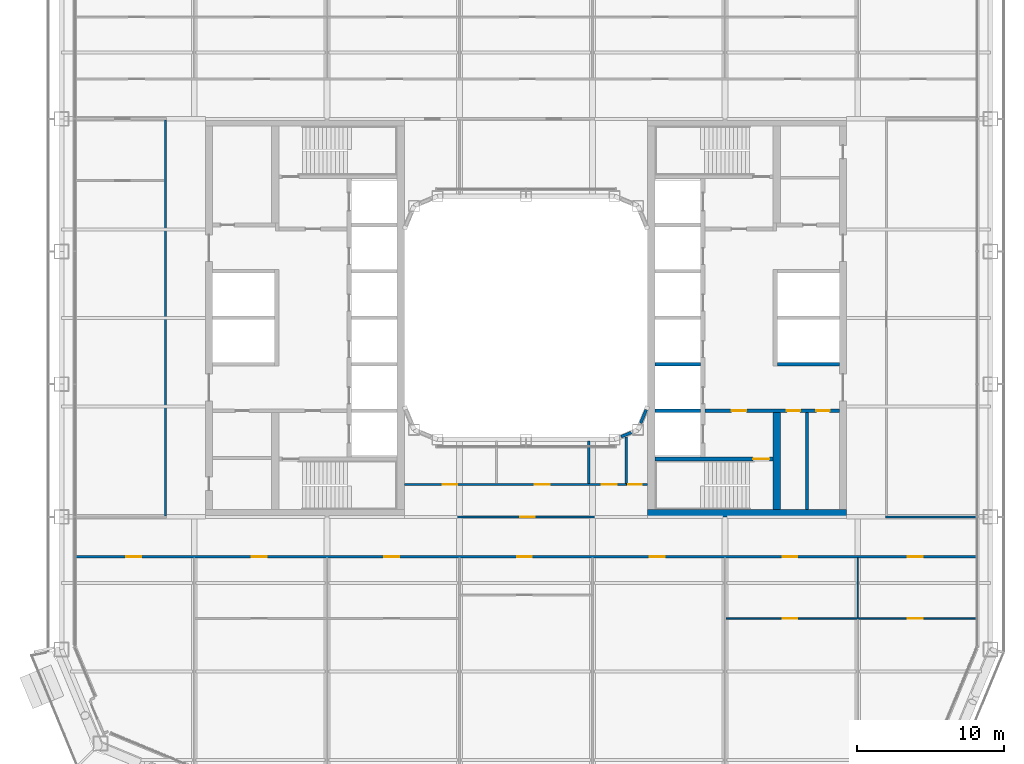
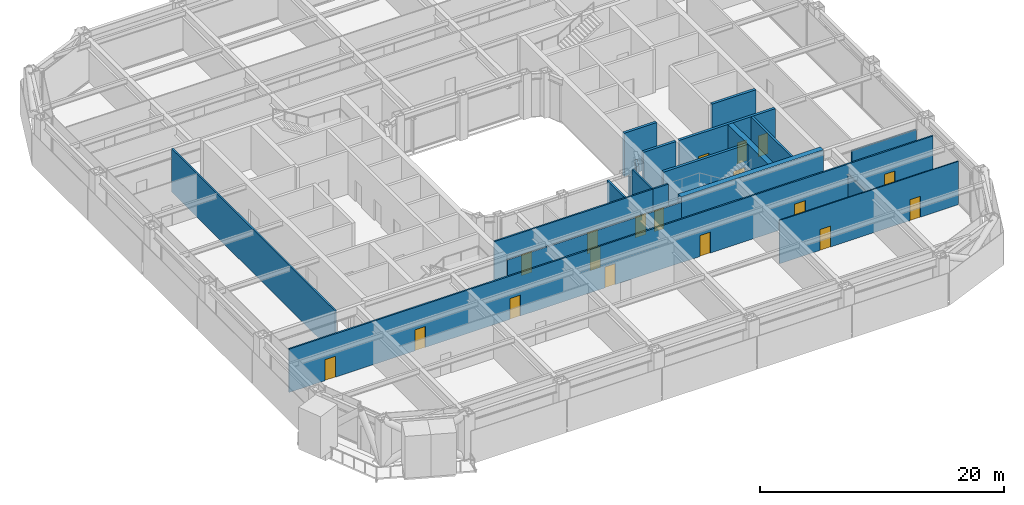
# One storey, part 14 of 27: 20 walls, 18 doors, 18 openings.
"""IFC4 building model written with IfcOpenShell, lengths in metres."""

from ifc_helpers import new_model, si_unit, direction, frame, frame_2d, origin, place, context, subcontext, project, spatial, rectangle, extrude, material, layer, layer_set, type_object, element, fill, save


model = new_model("IFC4")

# Units and contexts
model_context = context("Model", 3, precision=1e-05, world=origin(), true_north=direction((0.0, 1.0)))
body_context = subcontext(model_context, "Body", "Model", "MODEL_VIEW")
ifc_project = project(units=[si_unit("LENGTHUNIT", "METRE"), si_unit("AREAUNIT", "SQUARE_METRE"), si_unit("VOLUMEUNIT", "CUBIC_METRE"), si_unit("PLANEANGLEUNIT", "RADIAN"), si_unit("MASSUNIT", "GRAM", prefix="KILO")], contexts=[model_context])

# Site, building, storey
site_placement = place(None, origin())
site = spatial("IfcSite", under=ifc_project, at=site_placement, CompositionType="ELEMENT")
building_placement = place(site_placement, origin())
building = spatial("IfcBuilding", under=site, at=building_placement, Name="Siwar Civic Tower", CompositionType="ELEMENT")
storey_placement = place(building_placement, frame((0.0, 0.0, 71.699951171875)))
storey = spatial("IfcBuildingStorey", under=building, at=storey_placement, Name="L15", CompositionType="ELEMENT", Elevation=71.699951171875)

# Wall, opening, door
ifc_material_1 = material(Name="Gypsum board on steel studs", Category="steel")
ifc_layer_1 = layer(ifc_material_1, 0.14990234375)
ifc_layer_set_1 = layer_set([ifc_layer_1], Name="Gypsum board on steel studs")
wall_type_1 = type_object("IfcWallType", Name="COMPARTMENT PARTITION 150 EI 60", PredefinedType="PARTITIONING", material=ifc_layer_set_1)
wall_1_placement = place(storey_placement, frame((6.800048828125, -11.300048828125, 0.0), z_axis=(0.0, 0.0, 1.0), x_axis=(1.0, 0.0, 0.0)))
wall_1 = element("IfcWall", 1, at=wall_1_placement, inside=storey, type_object=wall_type_1, Name="L15/wall/P09", PredefinedType="PARTITIONING", context=body_context, shape_type="SweptSolid", body=[
    extrude(rectangle(XDim=1.449951171875, YDim=0.14990234375, at=frame_2d((0.72509765625, 0.0))), origin(), (0.0, 0.0, 1.0), 4.35009765625),
])
opening_1_placement = place(wall_1_placement, frame((0.14990234375, 0.0, 0.0)))
opening_1 = element("IfcOpeningElement", 2, at=opening_1_placement, cuts=wall_1, Name="Opening D4", PredefinedType="OPENING", context=body_context, shape_type="SweptSolid", body=[
    extrude(rectangle(XDim=0.89990234375, YDim=2.10009765625, at=frame_2d((0.449951171875, 1.050048828125))), frame((0.0, 0.0849609375, 0.0), z_axis=(0.0, -1.0, 0.0), x_axis=(1.0, 0.0, 0.0)), (0.0, 0.0, 1.0), 0.169921875),
])
ifc_material_2 = material(Name="Timber, painted", Category="wood")
door_type_1 = type_object("IfcDoorType", Name="DOOR 900 X 2100 FD60", OperationType="SINGLE_SWING_LEFT", PredefinedType="DOOR", material=ifc_material_2)
door_1_placement = place(opening_1_placement, origin())
door_1 = element("IfcDoor", 3, at=door_1_placement, inside=storey, type_object=door_type_1, Name="L15-D35", OperationType="SINGLE_SWING_LEFT", OverallHeight=2.10009765625, OverallWidth=0.89990234375, PredefinedType="DOOR", context=body_context, shape_type="SweptSolid", body=[
    extrude(rectangle(XDim=0.89990234375, YDim=2.10009765625, at=frame_2d((0.449951171875, 1.050048828125))), frame((0.0, 0.02490234375, 0.0), z_axis=(0.0, -1.0, 0.0), x_axis=(1.0, 0.0, 0.0)), (0.0, 0.0, 1.0), 0.050048828125),
])
fill(opening_1, door_1)

# Walls
wall_2_placement = place(storey_placement, frame((6.800048828125, -11.22509765625, 0.0), z_axis=(0.0, 0.0, 1.0), x_axis=(0.0, 1.0, 0.0)))
element("IfcWall", 4, at=wall_2_placement, inside=storey, type_object=wall_type_1, Name="L15/wall/P33", PredefinedType="PARTITIONING", context=body_context, shape_type="SweptSolid", body=[
    extrude(rectangle(XDim=3.151123046875, YDim=0.14990234375, at=frame_2d((1.57568359375, 0.0))), origin(), (0.0, 0.0, 1.0), 4.35009765625),
])
ifc_material_3 = material(Name="Gypsum board on steel studs", Category="steel")
ifc_layer_2 = layer(ifc_material_3, 0.199951171875)
ifc_layer_set_2 = layer_set([ifc_layer_2], Name="Gypsum board on steel studs")
wall_type_2 = type_object("IfcWallType", Name="CORE-PARTITION-200", PredefinedType="PARTITIONING", material=ifc_layer_set_2)
wall_3_placement = place(storey_placement, frame((19.050048828125, -13.0, 0.0), z_axis=(0.0, 0.0, 1.0), x_axis=(0.0, 1.0, 0.0)))
element("IfcWall", 5, at=wall_3_placement, inside=storey, type_object=wall_type_2, Name="Core partition E", PredefinedType="PARTITIONING", context=body_context, shape_type="SweptSolid", body=[
    extrude(rectangle(XDim=6.574951171875, YDim=0.199951171875, at=frame_2d((3.28759765625, 0.0))), origin(), (0.0, 0.0, 1.0), 4.35009765625),
])

# Wall, openings, doors
ifc_material_4 = material(Name="Concrete C60/75", Category="concrete")
ifc_layer_3 = layer(ifc_material_4, 0.25)
ifc_layer_set_3 = layer_set([ifc_layer_3], Name="Concrete C60/75")
wall_type_3 = type_object("IfcWallType", Name="CORE-WALL-RC250", PredefinedType="SHEAR", material=ifc_layer_set_3)
wall_4_placement = place(storey_placement, frame((12.14990234375, -6.300048828125, 0.0), z_axis=(0.0, 0.0, 1.0), x_axis=(1.0, 0.0, 0.0)))
wall_4 = element("IfcWall", 6, at=wall_4_placement, inside=storey, type_object=wall_type_3, Name="Core wall E", PredefinedType="SHEAR", context=body_context, shape_type="SweptSolid", body=[
    extrude(rectangle(XDim=9.10009765625, YDim=0.25, at=frame_2d((4.550048828125, 0.0))), origin(), (0.0, 0.0, 1.0), 4.35009765625),
])
opening_2_placement = place(wall_4_placement, frame((1.800048828125, 0.0, 0.0)))
opening_2 = element("IfcOpeningElement", 7, at=opening_2_placement, cuts=wall_4, Name="Opening L15-CE02", PredefinedType="OPENING", context=body_context, shape_type="SweptSolid", body=[
    extrude(rectangle(XDim=1.0, YDim=2.10009765625, at=frame_2d((0.5, 1.050048828125))), frame((0.0, 0.135009765625, 0.0), z_axis=(0.0, -1.0, 0.0), x_axis=(1.0, 0.0, 0.0)), (0.0, 0.0, 1.0), 0.27001953125),
])
opening_3_placement = place(wall_4_placement, frame((5.550048828125, 0.0, 0.0)))
opening_3 = element("IfcOpeningElement", 8, at=opening_3_placement, cuts=wall_4, Name="Opening L15-CE15", PredefinedType="OPENING", context=body_context, shape_type="SweptSolid", body=[
    extrude(rectangle(XDim=0.89990234375, YDim=2.10009765625, at=frame_2d((0.449951171875, 1.050048828125))), frame((0.0, 0.135009765625, 0.0), z_axis=(0.0, -1.0, 0.0), x_axis=(1.0, 0.0, 0.0)), (0.0, 0.0, 1.0), 0.27001953125),
])
opening_4_placement = place(wall_4_placement, frame((7.550048828125, 0.0, 0.0)))
opening_4 = element("IfcOpeningElement", 9, at=opening_4_placement, cuts=wall_4, Name="Opening L15-CE16", PredefinedType="OPENING", context=body_context, shape_type="SweptSolid", body=[
    extrude(rectangle(XDim=0.89990234375, YDim=2.10009765625, at=frame_2d((0.449951171875, 1.050048828125))), frame((0.0, 0.135009765625, 0.0), z_axis=(0.0, -1.0, 0.0), x_axis=(1.0, 0.0, 0.0)), (0.0, 0.0, 1.0), 0.27001953125),
])
ifc_material_5 = material(Name="Steel door leaf", Category="steel")
door_type_2 = type_object("IfcDoorType", Name="CORE-DOOR-FD30S", OperationType="SINGLE_SWING_LEFT", PredefinedType="DOOR", material=ifc_material_5)
door_2_placement = place(opening_2_placement, origin())
door_2 = element("IfcDoor", 10, at=door_2_placement, inside=storey, type_object=door_type_2, Name="Service lobby door L15-CE02", OperationType="SINGLE_SWING_LEFT", OverallHeight=2.10009765625, OverallWidth=1.0, PredefinedType="DOOR", context=body_context, shape_type="SweptSolid", body=[
    extrude(rectangle(XDim=1.0, YDim=2.10009765625, at=frame_2d((0.5, 1.050048828125))), frame((0.0, 0.02490234375, 0.0), z_axis=(0.0, -1.0, 0.0), x_axis=(1.0, 0.0, 0.0)), (0.0, 0.0, 1.0), 0.050048828125),
])
fill(opening_2, door_2)
ifc_material_6 = material(Name="Steel door leaf", Category="steel")
door_type_3 = type_object("IfcDoorType", Name="CORE-DOOR-ROOM", OperationType="SINGLE_SWING_LEFT", PredefinedType="DOOR", material=ifc_material_6)
door_3_placement = place(opening_3_placement, origin())
door_3 = element("IfcDoor", 11, at=door_3_placement, inside=storey, type_object=door_type_3, Name="Core room door L15-CE15", OperationType="SINGLE_SWING_RIGHT", OverallHeight=2.10009765625, OverallWidth=0.89990234375, PredefinedType="DOOR", context=body_context, shape_type="SweptSolid", body=[
    extrude(rectangle(XDim=0.89990234375, YDim=2.10009765625, at=frame_2d((0.449951171875, 1.050048828125))), frame((0.0, 0.02490234375, 0.0), z_axis=(0.0, -1.0, 0.0), x_axis=(1.0, 0.0, 0.0)), (0.0, 0.0, 1.0), 0.050048828125),
])
fill(opening_3, door_3)
door_4_placement = place(opening_4_placement, origin())
door_4 = element("IfcDoor", 12, at=door_4_placement, inside=storey, type_object=door_type_3, Name="Core room door L15-CE16", OperationType="SINGLE_SWING_LEFT", OverallHeight=2.10009765625, OverallWidth=0.89990234375, PredefinedType="DOOR", context=body_context, shape_type="SweptSolid", body=[
    extrude(rectangle(XDim=0.89990234375, YDim=2.10009765625, at=frame_2d((0.449951171875, 1.050048828125))), frame((0.0, 0.02490234375, 0.0), z_axis=(0.0, -1.0, 0.0), x_axis=(1.0, 0.0, 0.0)), (0.0, 0.0, 1.0), 0.050048828125),
])
fill(opening_4, door_4)

# Walls
wall_5_placement = place(storey_placement, frame((17.050048828125, -3.14990234375, 0.0), z_axis=(0.0, 0.0, 1.0), x_axis=(1.0, 0.0, 0.0)))
element("IfcWall", 13, at=wall_5_placement, inside=storey, type_object=wall_type_3, Name="Core wall E", PredefinedType="SHEAR", context=body_context, shape_type="SweptSolid", body=[
    extrude(rectangle(XDim=4.199951171875, YDim=0.25, at=frame_2d((2.10009765625, 0.0))), origin(), (0.0, 0.0, 1.0), 4.35009765625),
])
for number, where, z_axis, x_axis, name in (
    (14, (8.75, -3.14990234375, 0.0), (0.0, 0.0, 1.0), (1.0, 0.0, 0.0), "Core wall E"),
    (15, (8.75, -6.300048828125, 0.0), (0.0, 0.0, 1.0), (1.0, 0.0, 0.0), "Core wall E"),
):
    element("IfcWall", number, at=place(storey_placement, frame(where, z_axis=z_axis, x_axis=x_axis)), inside=storey, type_object=wall_type_3, Name=name, PredefinedType="SHEAR", context=body_context, shape_type="SweptSolid", body=[
        extrude(rectangle(XDim=3.10009765625, YDim=0.25, at=frame_2d((1.550048828125, 0.0))), origin(), (0.0, 0.0, 1.0), 4.35009765625),
    ])

# Wall, opening, door
wall_6_placement = place(storey_placement, frame((8.75, -9.574951171875, 0.0), z_axis=(0.0, 0.0, 1.0), x_axis=(1.0, 0.0, 0.0)))
wall_6 = element("IfcWall", 16, at=wall_6_placement, inside=storey, type_object=wall_type_3, Name="Core wall E", PredefinedType="SHEAR", context=body_context, shape_type="SweptSolid", body=[
    extrude(rectangle(XDim=8.0, YDim=0.25, at=frame_2d((4.0, 0.0))), origin(), (0.0, 0.0, 1.0), 4.35009765625),
])
opening_5_placement = place(wall_6_placement, frame((6.64990234375, 0.0, 0.0)))
opening_5 = element("IfcOpeningElement", 17, at=opening_5_placement, cuts=wall_6, Name="Opening L15-CE04", PredefinedType="OPENING", context=body_context, shape_type="SweptSolid", body=[
    extrude(rectangle(XDim=1.10009765625, YDim=2.10009765625, at=frame_2d((0.550048828125, 1.050048828125))), frame((0.0, 0.135009765625, 0.0), z_axis=(0.0, -1.0, 0.0), x_axis=(1.0, 0.0, 0.0)), (0.0, 0.0, 1.0), 0.27001953125),
])
ifc_material_7 = material(Name="Steel door leaf", Category="steel")
door_type_4 = type_object("IfcDoorType", Name="CORE-DOOR-FD60S", OperationType="SINGLE_SWING_LEFT", PredefinedType="DOOR", material=ifc_material_7)
door_5_placement = place(opening_5_placement, origin())
door_5 = element("IfcDoor", 18, at=door_5_placement, inside=storey, type_object=door_type_4, Name="Stair door L15-CE04", OperationType="SINGLE_SWING_RIGHT", OverallHeight=2.10009765625, OverallWidth=1.10009765625, PredefinedType="DOOR", context=body_context, shape_type="SweptSolid", body=[
    extrude(rectangle(XDim=1.10009765625, YDim=2.10009765625, at=frame_2d((0.550048828125, 1.050048828125))), frame((0.0, 0.02490234375, 0.0), z_axis=(0.0, -1.0, 0.0), x_axis=(1.0, 0.0, 0.0)), (0.0, 0.0, 1.0), 0.050048828125),
])
fill(opening_5, door_5)

# Walls
ifc_material_8 = material(Name="Concrete C60/75", Category="concrete")
ifc_layer_4 = layer(ifc_material_8, 0.5)
ifc_layer_set_4 = layer_set([ifc_layer_4], Name="Concrete C60/75")
wall_type_4 = type_object("IfcWallType", Name="CORE-WALL-RC500", PredefinedType="SHEAR", material=ifc_layer_set_4)
wall_7_placement = place(storey_placement, frame((17.0, -13.0, 0.0), z_axis=(0.0, 0.0, 1.0), x_axis=(0.0, 1.0, 0.0)))
element("IfcWall", 19, at=wall_7_placement, inside=storey, type_object=wall_type_4, Name="Core wall E", PredefinedType="SHEAR", context=body_context, shape_type="SweptSolid", body=[
    extrude(rectangle(XDim=6.574951171875, YDim=0.5, at=frame_2d((3.28759765625, 0.0))), origin(), (0.0, 0.0, 1.0), 4.35009765625),
])
wall_8_placement = place(storey_placement, frame((8.25, -13.25, 0.0), z_axis=(0.0, 0.0, 1.0), x_axis=(1.0, 0.0, 0.0)))
element("IfcWall", 20, at=wall_8_placement, inside=storey, type_object=wall_type_4, Name="Core wall E", PredefinedType="SHEAR", context=body_context, shape_type="SweptSolid", body=[
    extrude(rectangle(XDim=13.5, YDim=0.5, at=frame_2d((6.75, 0.0))), origin(), (0.0, 0.0, 1.0), 4.35009765625),
])

# Wall, openings, doors
ifc_material_9 = material(Name="Gypsum board on steel studs", Category="steel")
ifc_layer_5 = layer(ifc_material_9, 0.14990234375)
ifc_layer_set_5 = layer_set([ifc_layer_5], Name="Gypsum board on steel studs")
wall_type_5 = type_object("IfcWallType", Name="CORRIDOR PARTITION 150 EI 30", PredefinedType="PARTITIONING", material=ifc_layer_set_5)
wall_9_placement = place(storey_placement, frame((-30.510009765625, -16.199951171875, 0.0), z_axis=(0.0, 0.0, 1.0), x_axis=(1.0, 0.0, 0.0)))
wall_9 = element("IfcWall", 21, at=wall_9_placement, inside=storey, type_object=wall_type_5, Name="L15/wall/P04", PredefinedType="PARTITIONING", context=body_context, shape_type="SweptSolid", body=[
    extrude(rectangle(XDim=61.02001953125, YDim=0.14990234375, at=frame_2d((30.510009765625, 0.0))), origin(), (0.0, 0.0, 1.0), 4.35009765625),
])
opening_6_placement = place(wall_9_placement, frame((11.909912109375, 0.0, 0.0)))
opening_6 = element("IfcOpeningElement", 22, at=opening_6_placement, cuts=wall_9, Name="Opening D1", PredefinedType="OPENING", context=body_context, shape_type="SweptSolid", body=[
    extrude(rectangle(XDim=1.0, YDim=2.10009765625, at=frame_2d((0.5, 1.050048828125))), frame((0.0, 0.0849609375, 0.0), z_axis=(0.0, -1.0, 0.0), x_axis=(1.0, 0.0, 0.0)), (0.0, 0.0, 1.0), 0.169921875),
])
opening_7_placement = place(wall_9_placement, frame((20.909912109375, 0.0, 0.0)))
opening_7 = element("IfcOpeningElement", 23, at=opening_7_placement, cuts=wall_9, Name="Opening D1", PredefinedType="OPENING", context=body_context, shape_type="SweptSolid", body=[
    extrude(rectangle(XDim=1.0, YDim=2.10009765625, at=frame_2d((0.5, 1.050048828125))), frame((0.0, 0.0849609375, 0.0), z_axis=(0.0, -1.0, 0.0), x_axis=(1.0, 0.0, 0.0)), (0.0, 0.0, 1.0), 0.169921875),
])
opening_8_placement = place(wall_9_placement, frame((29.909912109375, 0.0, 0.0)))
opening_8 = element("IfcOpeningElement", 24, at=opening_8_placement, cuts=wall_9, Name="Opening D1", PredefinedType="OPENING", context=body_context, shape_type="SweptSolid", body=[
    extrude(rectangle(XDim=1.0, YDim=2.10009765625, at=frame_2d((0.5, 1.050048828125))), frame((0.0, 0.0849609375, 0.0), z_axis=(0.0, -1.0, 0.0), x_axis=(1.0, 0.0, 0.0)), (0.0, 0.0, 1.0), 0.169921875),
])
opening_9_placement = place(wall_9_placement, frame((38.909912109375, 0.0, 0.0)))
opening_9 = element("IfcOpeningElement", 25, at=opening_9_placement, cuts=wall_9, Name="Opening D1", PredefinedType="OPENING", context=body_context, shape_type="SweptSolid", body=[
    extrude(rectangle(XDim=1.0, YDim=2.10009765625, at=frame_2d((0.5, 1.050048828125))), frame((0.0, 0.0849609375, 0.0), z_axis=(0.0, -1.0, 0.0), x_axis=(1.0, 0.0, 0.0)), (0.0, 0.0, 1.0), 0.169921875),
])
opening_10_placement = place(wall_9_placement, frame((47.909912109375, 0.0, 0.0)))
opening_10 = element("IfcOpeningElement", 26, at=opening_10_placement, cuts=wall_9, Name="Opening D1", PredefinedType="OPENING", context=body_context, shape_type="SweptSolid", body=[
    extrude(rectangle(XDim=1.0, YDim=2.10009765625, at=frame_2d((0.5, 1.050048828125))), frame((0.0, 0.0849609375, 0.0), z_axis=(0.0, -1.0, 0.0), x_axis=(1.0, 0.0, 0.0)), (0.0, 0.0, 1.0), 0.169921875),
])
opening_11_placement = place(wall_9_placement, frame((3.39990234375, 0.0, 0.0)))
opening_11 = element("IfcOpeningElement", 27, at=opening_11_placement, cuts=wall_9, Name="Opening D1", PredefinedType="OPENING", context=body_context, shape_type="SweptSolid", body=[
    extrude(rectangle(XDim=1.0, YDim=2.10009765625, at=frame_2d((0.5, 1.050048828125))), frame((0.0, 0.0849609375, 0.0), z_axis=(0.0, -1.0, 0.0), x_axis=(1.0, 0.0, 0.0)), (0.0, 0.0, 1.0), 0.169921875),
])
opening_12_placement = place(wall_9_placement, frame((56.409912109375, 0.0, 0.0)))
opening_12 = element("IfcOpeningElement", 28, at=opening_12_placement, cuts=wall_9, Name="Opening D1", PredefinedType="OPENING", context=body_context, shape_type="SweptSolid", body=[
    extrude(rectangle(XDim=1.0, YDim=2.10009765625, at=frame_2d((0.5, 1.050048828125))), frame((0.0, 0.0849609375, 0.0), z_axis=(0.0, -1.0, 0.0), x_axis=(1.0, 0.0, 0.0)), (0.0, 0.0, 1.0), 0.169921875),
])
ifc_material_10 = material(Name="Timber, painted", Category="wood")
door_type_5 = type_object("IfcDoorType", Name="DOOR 1000 X 2100 FD30", OperationType="SINGLE_SWING_LEFT", PredefinedType="DOOR", material=ifc_material_10)
door_6_placement = place(opening_6_placement, origin())
door_6 = element("IfcDoor", 29, at=door_6_placement, inside=storey, type_object=door_type_5, Name="L15-D11", OperationType="SINGLE_SWING_LEFT", OverallHeight=2.10009765625, OverallWidth=1.0, PredefinedType="DOOR", context=body_context, shape_type="SweptSolid", body=[
    extrude(rectangle(XDim=1.0, YDim=2.10009765625, at=frame_2d((0.5, 1.050048828125))), frame((0.0, 0.02490234375, 0.0), z_axis=(0.0, -1.0, 0.0), x_axis=(1.0, 0.0, 0.0)), (0.0, 0.0, 1.0), 0.050048828125),
])
fill(opening_6, door_6)
door_7_placement = place(opening_7_placement, origin())
door_7 = element("IfcDoor", 30, at=door_7_placement, inside=storey, type_object=door_type_5, Name="L15-D13", OperationType="SINGLE_SWING_LEFT", OverallHeight=2.10009765625, OverallWidth=1.0, PredefinedType="DOOR", context=body_context, shape_type="SweptSolid", body=[
    extrude(rectangle(XDim=1.0, YDim=2.10009765625, at=frame_2d((0.5, 1.050048828125))), frame((0.0, 0.02490234375, 0.0), z_axis=(0.0, -1.0, 0.0), x_axis=(1.0, 0.0, 0.0)), (0.0, 0.0, 1.0), 0.050048828125),
])
fill(opening_7, door_7)
door_8_placement = place(opening_8_placement, origin())
door_8 = element("IfcDoor", 31, at=door_8_placement, inside=storey, type_object=door_type_5, Name="L15-D15", OperationType="SINGLE_SWING_LEFT", OverallHeight=2.10009765625, OverallWidth=1.0, PredefinedType="DOOR", context=body_context, shape_type="SweptSolid", body=[
    extrude(rectangle(XDim=1.0, YDim=2.10009765625, at=frame_2d((0.5, 1.050048828125))), frame((0.0, 0.02490234375, 0.0), z_axis=(0.0, -1.0, 0.0), x_axis=(1.0, 0.0, 0.0)), (0.0, 0.0, 1.0), 0.050048828125),
])
fill(opening_8, door_8)
door_9_placement = place(opening_9_placement, origin())
door_9 = element("IfcDoor", 32, at=door_9_placement, inside=storey, type_object=door_type_5, Name="L15-D17", OperationType="SINGLE_SWING_LEFT", OverallHeight=2.10009765625, OverallWidth=1.0, PredefinedType="DOOR", context=body_context, shape_type="SweptSolid", body=[
    extrude(rectangle(XDim=1.0, YDim=2.10009765625, at=frame_2d((0.5, 1.050048828125))), frame((0.0, 0.02490234375, 0.0), z_axis=(0.0, -1.0, 0.0), x_axis=(1.0, 0.0, 0.0)), (0.0, 0.0, 1.0), 0.050048828125),
])
fill(opening_9, door_9)
door_10_placement = place(opening_10_placement, origin())
door_10 = element("IfcDoor", 33, at=door_10_placement, inside=storey, type_object=door_type_5, Name="L15-D18", OperationType="SINGLE_SWING_RIGHT", OverallHeight=2.10009765625, OverallWidth=1.0, PredefinedType="DOOR", context=body_context, shape_type="SweptSolid", body=[
    extrude(rectangle(XDim=1.0, YDim=2.10009765625, at=frame_2d((0.5, 1.050048828125))), frame((0.0, 0.02490234375, 0.0), z_axis=(0.0, -1.0, 0.0), x_axis=(1.0, 0.0, 0.0)), (0.0, 0.0, 1.0), 0.050048828125),
])
fill(opening_10, door_10)
door_11_placement = place(opening_11_placement, origin())
door_11 = element("IfcDoor", 34, at=door_11_placement, inside=storey, type_object=door_type_5, Name="L15-D23", OperationType="SINGLE_SWING_LEFT", OverallHeight=2.10009765625, OverallWidth=1.0, PredefinedType="DOOR", context=body_context, shape_type="SweptSolid", body=[
    extrude(rectangle(XDim=1.0, YDim=2.10009765625, at=frame_2d((0.5, 1.050048828125))), frame((0.0, 0.02490234375, 0.0), z_axis=(0.0, -1.0, 0.0), x_axis=(1.0, 0.0, 0.0)), (0.0, 0.0, 1.0), 0.050048828125),
])
fill(opening_11, door_11)
door_12_placement = place(opening_12_placement, origin())
door_12 = element("IfcDoor", 35, at=door_12_placement, inside=storey, type_object=door_type_5, Name="L15-D24", OperationType="SINGLE_SWING_RIGHT", OverallHeight=2.10009765625, OverallWidth=1.0, PredefinedType="DOOR", context=body_context, shape_type="SweptSolid", body=[
    extrude(rectangle(XDim=1.0, YDim=2.10009765625, at=frame_2d((0.5, 1.050048828125))), frame((0.0, 0.02490234375, 0.0), z_axis=(0.0, -1.0, 0.0), x_axis=(1.0, 0.0, 0.0)), (0.0, 0.0, 1.0), 0.050048828125),
])
fill(opening_12, door_12)

# Wall, opening, door
wall_10_placement = place(storey_placement, frame((-8.25, -13.5, 0.0), z_axis=(0.0, 0.0, 1.0), x_axis=(1.0, 0.0, 0.0)))
wall_10 = element("IfcWall", 36, at=wall_10_placement, inside=storey, type_object=wall_type_5, Name="L15/wall/P06", PredefinedType="PARTITIONING", context=body_context, shape_type="SweptSolid", body=[
    extrude(rectangle(XDim=16.5, YDim=0.14990234375, at=frame_2d((8.25, 0.0))), origin(), (0.0, 0.0, 1.0), 3.85009765625),
])
opening_13_placement = place(wall_10_placement, frame((7.85009765625, 0.0, 0.0)))
opening_13 = element("IfcOpeningElement", 37, at=opening_13_placement, cuts=wall_10, Name="Opening D1", PredefinedType="OPENING", context=body_context, shape_type="SweptSolid", body=[
    extrude(rectangle(XDim=1.0, YDim=2.10009765625, at=frame_2d((0.5, 1.050048828125))), frame((0.0, 0.0849609375, 0.0), z_axis=(0.0, -1.0, 0.0), x_axis=(1.0, 0.0, 0.0)), (0.0, 0.0, 1.0), 0.169921875),
])
door_13_placement = place(opening_13_placement, origin())
door_13 = element("IfcDoor", 38, at=door_13_placement, inside=storey, type_object=door_type_5, Name="L15-D31", OperationType="SINGLE_SWING_LEFT", OverallHeight=2.10009765625, OverallWidth=1.0, PredefinedType="DOOR", context=body_context, shape_type="SweptSolid", body=[
    extrude(rectangle(XDim=1.0, YDim=2.10009765625, at=frame_2d((0.5, 1.050048828125))), frame((0.0, 0.02490234375, 0.0), z_axis=(0.0, -1.0, 0.0), x_axis=(1.0, 0.0, 0.0)), (0.0, 0.0, 1.0), 0.050048828125),
])
fill(opening_13, door_13)

# Wall
wall_11_placement = place(storey_placement, frame((24.375, -13.5, 0.0), z_axis=(0.0, 0.0, 1.0), x_axis=(1.0, 0.0, 0.0)))
element("IfcWall", 39, at=wall_11_placement, inside=storey, type_object=wall_type_5, Name="L15/wall/P07", PredefinedType="PARTITIONING", context=body_context, shape_type="SweptSolid", body=[
    extrude(rectangle(XDim=6.135009765625, YDim=0.14990234375, at=frame_2d((3.0673828125, 0.0))), origin(), (0.0, 0.0, 1.0), 3.35009765625),
])

# Wall, openings, doors
wall_12_placement = place(storey_placement, frame((-8.25, -11.300048828125, 0.0), z_axis=(0.0, 0.0, 1.0), x_axis=(1.0, 0.0, 0.0)))
wall_12 = element("IfcWall", 40, at=wall_12_placement, inside=storey, type_object=wall_type_5, Name="L15/wall/P08", PredefinedType="PARTITIONING", context=body_context, shape_type="SweptSolid", body=[
    extrude(rectangle(XDim=15.050048828125, YDim=0.14990234375, at=frame_2d((7.52490234375, 0.0))), origin(), (0.0, 0.0, 1.0), 4.35009765625),
])
opening_14_placement = place(wall_12_placement, frame((2.60009765625, 0.0, 0.0)))
opening_14 = element("IfcOpeningElement", 41, at=opening_14_placement, cuts=wall_12, Name="Opening D3", PredefinedType="OPENING", context=body_context, shape_type="SweptSolid", body=[
    extrude(rectangle(XDim=1.0, YDim=2.10009765625, at=frame_2d((0.5, 1.050048828125))), frame((0.0, 0.0849609375, 0.0), z_axis=(0.0, -1.0, 0.0), x_axis=(1.0, 0.0, 0.0)), (0.0, 0.0, 1.0), 0.169921875),
])
opening_15_placement = place(wall_12_placement, frame((8.85009765625, 0.0, 0.0)))
opening_15 = element("IfcOpeningElement", 42, at=opening_15_placement, cuts=wall_12, Name="Opening D3", PredefinedType="OPENING", context=body_context, shape_type="SweptSolid", body=[
    extrude(rectangle(XDim=1.0, YDim=2.10009765625, at=frame_2d((0.5, 1.050048828125))), frame((0.0, 0.0849609375, 0.0), z_axis=(0.0, -1.0, 0.0), x_axis=(1.0, 0.0, 0.0)), (0.0, 0.0, 1.0), 0.169921875),
])
opening_16_placement = place(wall_12_placement, frame((13.39990234375, 0.0, 0.0)))
opening_16 = element("IfcOpeningElement", 43, at=opening_16_placement, cuts=wall_12, Name="Opening D3", PredefinedType="OPENING", context=body_context, shape_type="SweptSolid", body=[
    extrude(rectangle(XDim=1.0, YDim=2.10009765625, at=frame_2d((0.5, 1.050048828125))), frame((0.0, 0.0849609375, 0.0), z_axis=(0.0, -1.0, 0.0), x_axis=(1.0, 0.0, 0.0)), (0.0, 0.0, 1.0), 0.169921875),
])
ifc_material_11 = material(Name="Timber, painted", Category="wood")
door_type_6 = type_object("IfcDoorType", Name="DOOR 1000 X 2100 WC", OperationType="SINGLE_SWING_LEFT", PredefinedType="DOOR", material=ifc_material_11)
door_14_placement = place(opening_14_placement, origin())
door_14 = element("IfcDoor", 44, at=door_14_placement, inside=storey, type_object=door_type_6, Name="L15-D32", OperationType="SINGLE_SWING_RIGHT", OverallHeight=2.10009765625, OverallWidth=1.0, PredefinedType="DOOR", context=body_context, shape_type="SweptSolid", body=[
    extrude(rectangle(XDim=1.0, YDim=2.10009765625, at=frame_2d((0.5, 1.050048828125))), frame((0.0, 0.02490234375, 0.0), z_axis=(0.0, -1.0, 0.0), x_axis=(1.0, 0.0, 0.0)), (0.0, 0.0, 1.0), 0.050048828125),
])
fill(opening_14, door_14)
door_15_placement = place(opening_15_placement, origin())
door_15 = element("IfcDoor", 45, at=door_15_placement, inside=storey, type_object=door_type_6, Name="L15-D33", OperationType="SINGLE_SWING_LEFT", OverallHeight=2.10009765625, OverallWidth=1.0, PredefinedType="DOOR", context=body_context, shape_type="SweptSolid", body=[
    extrude(rectangle(XDim=1.0, YDim=2.10009765625, at=frame_2d((0.5, 1.050048828125))), frame((0.0, 0.02490234375, 0.0), z_axis=(0.0, -1.0, 0.0), x_axis=(1.0, 0.0, 0.0)), (0.0, 0.0, 1.0), 0.050048828125),
])
fill(opening_15, door_15)
door_16_placement = place(opening_16_placement, origin())
door_16 = element("IfcDoor", 46, at=door_16_placement, inside=storey, type_object=door_type_6, Name="L15-D34", OperationType="SINGLE_SWING_RIGHT", OverallHeight=2.10009765625, OverallWidth=1.0, PredefinedType="DOOR", context=body_context, shape_type="SweptSolid", body=[
    extrude(rectangle(XDim=1.0, YDim=2.10009765625, at=frame_2d((0.5, 1.050048828125))), frame((0.0, 0.02490234375, 0.0), z_axis=(0.0, -1.0, 0.0), x_axis=(1.0, 0.0, 0.0)), (0.0, 0.0, 1.0), 0.050048828125),
])
fill(opening_16, door_16)

# Walls
wall_13_placement = place(storey_placement, frame((-24.449951171875, -13.425048828125, 0.0), z_axis=(0.0, 0.0, 1.0), x_axis=(0.0, 1.0, 0.0)))
element("IfcWall", 47, at=wall_13_placement, inside=storey, type_object=wall_type_5, Name="L15/wall/P16", PredefinedType="PARTITIONING", context=body_context, shape_type="SweptSolid", body=[
    extrude(rectangle(XDim=26.85009765625, YDim=0.14990234375, at=frame_2d((13.425048828125, 0.0))), origin(), (0.0, 0.0, 1.0), 4.35009765625),
])
wall_14_placement = place(storey_placement, frame((4.25, -11.22509765625, 0.0), z_axis=(0.0, 0.0, 1.0), x_axis=(0.0, 1.0, 0.0)))
element("IfcWall", 48, at=wall_14_placement, inside=storey, type_object=wall_type_5, Name="L15/wall/P29", PredefinedType="PARTITIONING", context=body_context, shape_type="SweptSolid", body=[
    extrude(rectangle(XDim=2.85498046875, YDim=0.14990234375, at=frame_2d((1.427490234375, 0.0))), origin(), (0.0, 0.0, 1.0), 4.35009765625),
])
ifc_material_12 = material(Name="Aluminium clad insulated panel", Category="aluminium")
ifc_layer_6 = layer(ifc_material_12, 0.199951171875)
ifc_layer_set_6 = layer_set([ifc_layer_6], Name="Aluminium clad insulated panel")
wall_type_6 = type_object("IfcWallType", Name="ENV-WALL-WELL", PredefinedType="STANDARD", material=ifc_layer_set_6)
wall_15_placement = place(storey_placement, frame((6.45263671875, -8.0625, 0.0), z_axis=(0.0, 0.0, 1.0), x_axis=(0.923940677943, 0.382535780864, 0.0)))
element("IfcWall", 49, at=wall_15_placement, inside=storey, type_object=wall_type_6, Name="Light well corner wall SE1", PredefinedType="STANDARD", context=body_context, shape_type="SweptSolid", body=[
    extrude(rectangle(XDim=0.7421875, YDim=0.199951171875, at=frame_2d((0.37109375, 0.0))), origin(), (0.0, 0.0, 1.0), 3.72998046875),
])
wall_16_placement = place(storey_placement, frame((7.778564453125, -7.138427734375, 0.0), z_axis=(0.0, 0.0, 1.0), x_axis=(0.382549378284, 0.923935048136, 0.0)))
element("IfcWall", 50, at=wall_16_placement, inside=storey, type_object=wall_type_6, Name="Light well corner wall SE2", PredefinedType="STANDARD", context=body_context, shape_type="SweptSolid", body=[
    extrude(rectangle(XDim=0.982177734375, YDim=0.199951171875, at=frame_2d((0.4912109375, 0.0))), origin(), (0.0, 0.0, 1.0), 3.72998046875),
])

# Wall, openings, doors
ifc_material_13 = material(Name="Gypsum board on steel studs", Category="steel")
ifc_layer_7 = layer(ifc_material_13, 0.10009765625)
ifc_layer_set_7 = layer_set([ifc_layer_7], Name="Gypsum board on steel studs")
wall_type_7 = type_object("IfcWallType", Name="PARTITION 100 GYPSUM", PredefinedType="PARTITIONING", material=ifc_layer_set_7)
wall_17_placement = place(storey_placement, frame((13.550048828125, -20.39990234375, 0.0), z_axis=(0.0, 0.0, 1.0), x_axis=(1.0, 0.0, 0.0)))
wall_17 = element("IfcWall", 51, at=wall_17_placement, inside=storey, type_object=wall_type_7, Name="L15/wall/P02", PredefinedType="PARTITIONING", context=body_context, shape_type="SweptSolid", body=[
    extrude(rectangle(XDim=16.9599609375, YDim=0.10009765625, at=frame_2d((8.47998046875, 0.0))), origin(), (0.0, 0.0, 1.0), 4.35009765625),
])
opening_17_placement = place(wall_17_placement, frame((3.85009765625, 0.0, 0.0)))
opening_17 = element("IfcOpeningElement", 52, at=opening_17_placement, cuts=wall_17, Name="Opening D2", PredefinedType="OPENING", context=body_context, shape_type="SweptSolid", body=[
    extrude(rectangle(XDim=1.0, YDim=2.10009765625, at=frame_2d((0.5, 1.050048828125))), frame((0.0, 0.06005859375, 0.0), z_axis=(0.0, -1.0, 0.0), x_axis=(1.0, 0.0, 0.0)), (0.0, 0.0, 1.0), 0.1201171875),
])
opening_18_placement = place(wall_17_placement, frame((12.35009765625, 0.0, 0.0)))
opening_18 = element("IfcOpeningElement", 53, at=opening_18_placement, cuts=wall_17, Name="Opening D2", PredefinedType="OPENING", context=body_context, shape_type="SweptSolid", body=[
    extrude(rectangle(XDim=1.0, YDim=2.10009765625, at=frame_2d((0.5, 1.050048828125))), frame((0.0, 0.06005859375, 0.0), z_axis=(0.0, -1.0, 0.0), x_axis=(1.0, 0.0, 0.0)), (0.0, 0.0, 1.0), 0.1201171875),
])
ifc_material_14 = material(Name="Timber, painted", Category="wood")
door_type_7 = type_object("IfcDoorType", Name="DOOR 1000 X 2100", OperationType="SINGLE_SWING_LEFT", PredefinedType="DOOR", material=ifc_material_14)
door_17_placement = place(opening_17_placement, origin())
door_17 = element("IfcDoor", 54, at=door_17_placement, inside=storey, type_object=door_type_7, Name="L15-D19", OperationType="SINGLE_SWING_LEFT", OverallHeight=2.10009765625, OverallWidth=1.0, PredefinedType="DOOR", context=body_context, shape_type="SweptSolid", body=[
    extrude(rectangle(XDim=1.0, YDim=2.10009765625, at=frame_2d((0.5, 1.050048828125))), frame((0.0, 0.02490234375, 0.0), z_axis=(0.0, -1.0, 0.0), x_axis=(1.0, 0.0, 0.0)), (0.0, 0.0, 1.0), 0.050048828125),
])
fill(opening_17, door_17)
door_18_placement = place(opening_18_placement, origin())
door_18 = element("IfcDoor", 55, at=door_18_placement, inside=storey, type_object=door_type_7, Name="L15-D25", OperationType="SINGLE_SWING_LEFT", OverallHeight=2.10009765625, OverallWidth=1.0, PredefinedType="DOOR", context=body_context, shape_type="SweptSolid", body=[
    extrude(rectangle(XDim=1.0, YDim=2.10009765625, at=frame_2d((0.5, 1.050048828125))), frame((0.0, 0.02490234375, 0.0), z_axis=(0.0, -1.0, 0.0), x_axis=(1.0, 0.0, 0.0)), (0.0, 0.0, 1.0), 0.050048828125),
])
fill(opening_18, door_18)

# Wall
wall_18_placement = place(storey_placement, frame((22.5, -20.35009765625, 0.0), z_axis=(0.0, 0.0, 1.0), x_axis=(0.0, 1.0, 0.0)))
element("IfcWall", 56, at=wall_18_placement, inside=storey, type_object=wall_type_7, Name="L15/wall/P38", PredefinedType="PARTITIONING", context=body_context, shape_type="SweptSolid", body=[
    extrude(rectangle(XDim=4.0751953125, YDim=0.10009765625, at=frame_2d((2.03759765625, 0.0))), origin(), (0.0, 0.0, 1.0), 3.35009765625),
])

save(model, "model.ifc")
